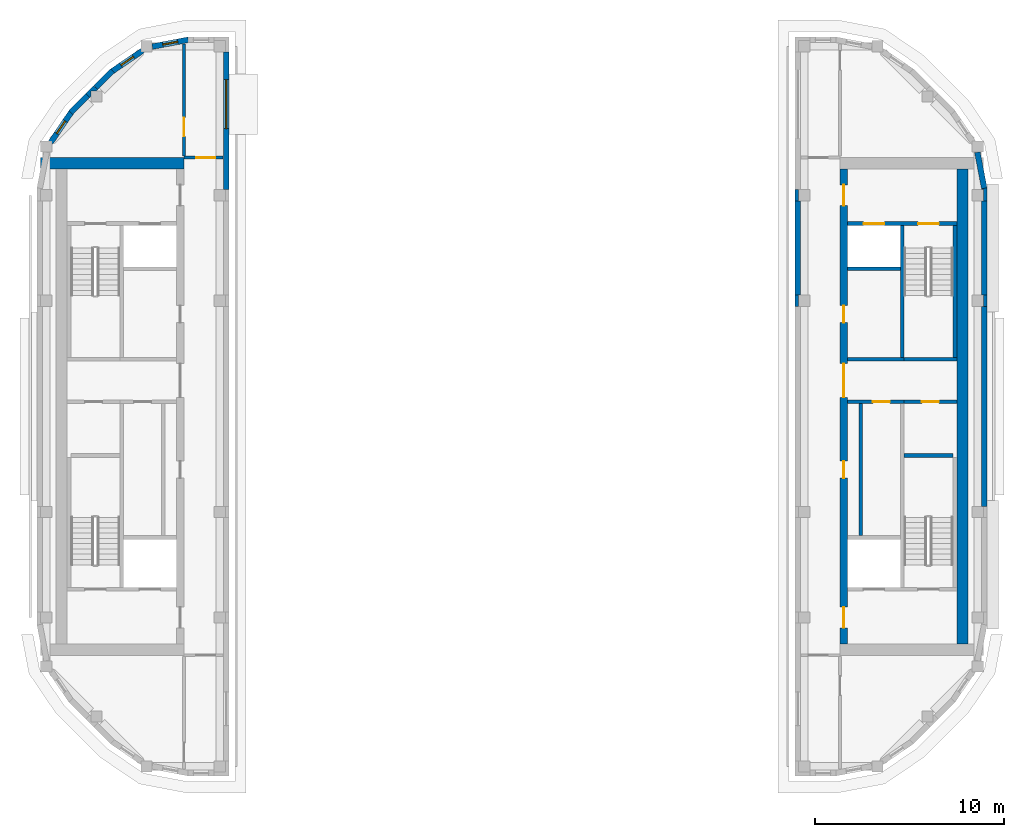
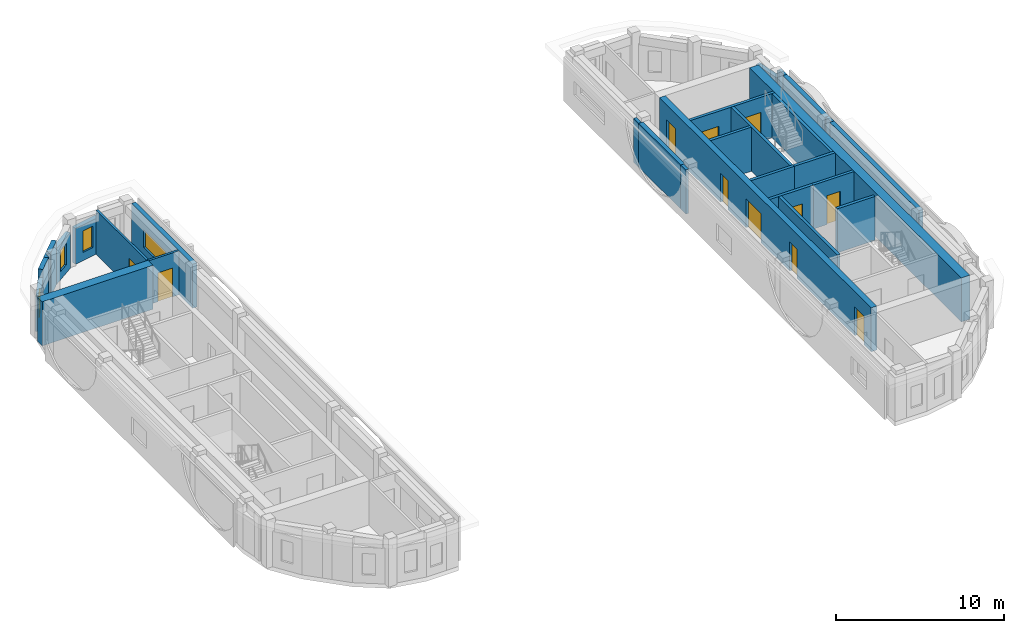
# One storey, part 4 of 12: 30 walls, 11 doors, 4 windows, 15 openings.
"""IFC4 building model written with IfcOpenShell, lengths in metres."""

from ifc_helpers import new_model, si_unit, direction, frame, frame_2d, origin, place, context, subcontext, project, spatial, polyline, rectangle, outline, extrude, material, layer, layer_set, type_object, element, fill, save


model = new_model("IFC4")

# Units and contexts
model_context = context("Model", 3, precision=1e-05, world=origin(), true_north=direction((0.0, 1.0)))
body_context = subcontext(model_context, "Body", "Model", "MODEL_VIEW")
ifc_project = project(units=[si_unit("LENGTHUNIT", "METRE"), si_unit("AREAUNIT", "SQUARE_METRE"), si_unit("VOLUMEUNIT", "CUBIC_METRE"), si_unit("PLANEANGLEUNIT", "RADIAN"), si_unit("MASSUNIT", "GRAM", prefix="KILO")], contexts=[model_context])

# Site, building, storey
site_placement = place(None, origin())
site = spatial("IfcSite", under=ifc_project, at=site_placement, CompositionType="ELEMENT")
building_placement = place(site_placement, origin())
building = spatial("IfcBuilding", under=site, at=building_placement, Name="Kiln Ring Residences", CompositionType="ELEMENT")
storey_placement = place(building_placement, frame((0.0, 0.0, 306.89990234375)))
storey = spatial("IfcBuildingStorey", under=building, at=storey_placement, Name="L79 Crown", CompositionType="ELEMENT", Elevation=306.89990234375)

# Wall, opening, door
ifc_material_1 = material(Name="Gypsum board on steel studs", Category="steel")
ifc_layer_1 = layer(ifc_material_1, 0.199951171875)
ifc_layer_set_1 = layer_set([ifc_layer_1], Name="CORE-PARTITION-200")
wall_type_1 = type_object("IfcWallType", Name="CORE-PARTITION-200", PredefinedType="PARTITIONING", material=ifc_layer_set_1)
wall_1_placement = place(storey_placement, frame((20.800048828125, 0.25, 0.0), z_axis=(0.0, 0.0, 1.0), x_axis=(1.0, 0.0, 0.0)))
wall_1 = element("IfcWall", 1, at=wall_1_placement, inside=storey, type_object=wall_type_1, Name="Core partition east L79 Crown 1", PredefinedType="PARTITIONING", context=body_context, shape_type="SweptSolid", body=[
    extrude(rectangle(XDim=2.800048828125, YDim=0.199951171875, at=frame_2d((1.39990234375, 0.0))), origin(), (0.0, 0.0, 1.0), 3.2001953125),
])
opening_1_placement = place(wall_1_placement, frame((0.949951171875, 0.0, 0.0)))
opening_1 = element("IfcOpeningElement", 2, at=opening_1_placement, cuts=wall_1, Name="Opening L79-CE11", PredefinedType="OPENING", context=body_context, shape_type="SweptSolid", body=[
    extrude(rectangle(XDim=0.89990234375, YDim=2.10009765625, at=frame_2d((0.449951171875, 1.050048828125))), frame((0.0, 0.10986328125, 0.0), z_axis=(0.0, -1.0, 0.0), x_axis=(1.0, 0.0, 0.0)), (0.0, 0.0, 1.0), 0.219970703125),
])
ifc_material_2 = material(Name="Steel door leaf", Category="steel")
door_type_1 = type_object("IfcDoorType", Name="CORE-DOOR-ROOM", OperationType="SINGLE_SWING_LEFT", PredefinedType="DOOR", material=ifc_material_2)
door_1_placement = place(opening_1_placement, origin())
door_1 = element("IfcDoor", 3, at=door_1_placement, inside=storey, type_object=door_type_1, Name="Housekeeping store L79-CE11", OperationType="SINGLE_SWING_RIGHT", OverallHeight=2.10009765625, OverallWidth=0.89990234375, PredefinedType="DOOR", context=body_context, shape_type="SweptSolid", body=[
    extrude(rectangle(XDim=0.89990234375, YDim=2.10009765625, at=frame_2d((0.449951171875, 1.050048828125))), frame((0.0, 0.02490234375, 0.0), z_axis=(0.0, -1.0, 0.0), x_axis=(1.0, 0.0, 0.0)), (0.0, 0.0, 1.0), 0.050048828125),
])
fill(opening_1, door_1)

# Wall
wall_2_placement = place(storey_placement, frame((18.5, -6.85009765625, 0.0), z_axis=(0.0, 0.0, 1.0), x_axis=(0.0, 1.0, 0.0)))
element("IfcWall", 4, at=wall_2_placement, inside=storey, type_object=wall_type_1, Name="Core partition east L79 Crown 2", PredefinedType="PARTITIONING", context=body_context, shape_type="SweptSolid", body=[
    extrude(rectangle(XDim=7.0, YDim=0.199951171875, at=frame_2d((3.5, 0.0))), origin(), (0.0, 0.0, 1.0), 3.2001953125),
])

# Wall, opening, door
ifc_material_3 = material(Name="Gypsum shaft wall system")
ifc_layer_2 = layer(ifc_material_3, 0.199951171875)
ifc_layer_set_2 = layer_set([ifc_layer_2], Name="CORE-SHAFT-WALL-200")
wall_type_2 = type_object("IfcWallType", Name="CORE-SHAFT-WALL-200", PredefinedType="PARTITIONING", material=ifc_layer_set_2)
wall_3_placement = place(storey_placement, frame((17.800048828125, 0.25, 0.0), z_axis=(0.0, 0.0, 1.0), x_axis=(1.0, 0.0, 0.0)))
wall_3 = element("IfcWall", 5, at=wall_3_placement, inside=storey, type_object=wall_type_2, Name="Core partition east L79 Crown 4", PredefinedType="PARTITIONING", context=body_context, shape_type="SweptSolid", body=[
    extrude(rectangle(XDim=3.0, YDim=0.199951171875, at=frame_2d((1.5, 0.0))), origin(), (0.0, 0.0, 1.0), 3.2001953125),
])
opening_2_placement = place(wall_3_placement, frame((1.35009765625, 0.0, 0.0)))
opening_2 = element("IfcOpeningElement", 6, at=opening_2_placement, cuts=wall_3, Name="Opening L79-CE03", PredefinedType="OPENING", context=body_context, shape_type="SweptSolid", body=[
    extrude(rectangle(XDim=0.89990234375, YDim=2.10009765625, at=frame_2d((0.449951171875, 1.050048828125))), frame((0.0, 0.10986328125, 0.0), z_axis=(0.0, -1.0, 0.0), x_axis=(1.0, 0.0, 0.0)), (0.0, 0.0, 1.0), 0.219970703125),
])
door_2_placement = place(opening_2_placement, origin())
door_2 = element("IfcDoor", 7, at=door_2_placement, inside=storey, type_object=door_type_1, Name="Goods store L79-CE03", OperationType="SINGLE_SWING_RIGHT", OverallHeight=2.10009765625, OverallWidth=0.89990234375, PredefinedType="DOOR", context=body_context, shape_type="SweptSolid", body=[
    extrude(rectangle(XDim=0.89990234375, YDim=2.10009765625, at=frame_2d((0.449951171875, 1.050048828125))), frame((0.0, 0.02490234375, 0.0), z_axis=(0.0, -1.0, 0.0), x_axis=(1.0, 0.0, 0.0)), (0.0, 0.0, 1.0), 0.050048828125),
])
fill(opening_2, door_2)

# Walls
wall_4_placement = place(storey_placement, frame((17.800048828125, 2.5, 0.0), z_axis=(0.0, 0.0, 1.0), x_axis=(1.0, 0.0, 0.0)))
element("IfcWall", 8, at=wall_4_placement, inside=storey, type_object=wall_type_2, Name="Core partition east L79 Crown 5", PredefinedType="PARTITIONING", context=body_context, shape_type="SweptSolid", body=[
    extrude(rectangle(XDim=3.0, YDim=0.199951171875, at=frame_2d((1.5, 0.0))), origin(), (0.0, 0.0, 1.0), 3.2001953125),
])
wall_5_placement = place(storey_placement, frame((17.800048828125, 7.300048828125, 0.0), z_axis=(0.0, 0.0, 1.0), x_axis=(1.0, 0.0, 0.0)))
element("IfcWall", 9, at=wall_5_placement, inside=storey, type_object=wall_type_2, Name="Core partition east L79 Crown 6", PredefinedType="PARTITIONING", context=body_context, shape_type="SweptSolid", body=[
    extrude(rectangle(XDim=2.800048828125, YDim=0.199951171875, at=frame_2d((1.39990234375, 0.0))), origin(), (0.0, 0.0, 1.0), 3.2001953125),
])
ifc_material_4 = material(Name="Concrete C40/50", Category="concrete")
ifc_layer_3 = layer(ifc_material_4, 0.199951171875)
ifc_layer_set_3 = layer_set([ifc_layer_3], Name="CORE-WALL-RC200")
wall_type_3 = type_object("IfcWallType", Name="CORE-WALL-RC200", PredefinedType="SHEAR", material=ifc_layer_set_3)
wall_6_placement = place(storey_placement, frame((20.699951171875, 2.60009765625, 0.0), z_axis=(0.0, 0.0, 1.0), x_axis=(0.0, 1.0, 0.0)))
element("IfcWall", 10, at=wall_6_placement, inside=storey, type_object=wall_type_3, Name="Core wall east L79 Crown 1", PredefinedType="SHEAR", context=body_context, shape_type="SweptSolid", body=[
    extrude(rectangle(XDim=7.0, YDim=0.199951171875, at=frame_2d((3.5, 0.0))), origin(), (0.0, 0.0, 1.0), 3.2001953125),
])
wall_7_placement = place(storey_placement, frame((20.800048828125, 2.5, 0.0), z_axis=(0.0, 0.0, 1.0), x_axis=(1.0, 0.0, 0.0)))
element("IfcWall", 11, at=wall_7_placement, inside=storey, type_object=wall_type_3, Name="Core wall east L79 Crown 3", PredefinedType="SHEAR", context=body_context, shape_type="SweptSolid", body=[
    extrude(rectangle(XDim=2.800048828125, YDim=0.199951171875, at=frame_2d((1.39990234375, 0.0))), origin(), (0.0, 0.0, 1.0), 3.2001953125),
])

# Wall, openings, doors
wall_8_placement = place(storey_placement, frame((17.800048828125, 9.699951171875, 0.0), z_axis=(0.0, 0.0, 1.0), x_axis=(1.0, 0.0, 0.0)))
wall_8 = element("IfcWall", 12, at=wall_8_placement, inside=storey, type_object=wall_type_3, Name="Core wall east L79 Crown 9", PredefinedType="SHEAR", context=body_context, shape_type="SweptSolid", body=[
    extrude(rectangle(XDim=5.800048828125, YDim=0.199951171875, at=frame_2d((2.89990234375, 0.0))), origin(), (0.0, 0.0, 1.0), 3.2001953125),
])
opening_3_placement = place(wall_8_placement, frame((0.85009765625, 0.0, 0.0)))
opening_3 = element("IfcOpeningElement", 13, at=opening_3_placement, cuts=wall_8, Name="Opening L79-CE05", PredefinedType="OPENING", context=body_context, shape_type="SweptSolid", body=[
    extrude(rectangle(XDim=1.10009765625, YDim=2.10009765625, at=frame_2d((0.550048828125, 1.050048828125))), frame((0.0, 0.10986328125, 0.0), z_axis=(0.0, -1.0, 0.0), x_axis=(1.0, 0.0, 0.0)), (0.0, 0.0, 1.0), 0.219970703125),
])
opening_4_placement = place(wall_8_placement, frame((3.75, 0.0, 0.0)))
opening_4 = element("IfcOpeningElement", 14, at=opening_4_placement, cuts=wall_8, Name="Opening L79-CE08", PredefinedType="OPENING", context=body_context, shape_type="SweptSolid", body=[
    extrude(rectangle(XDim=1.10009765625, YDim=2.10009765625, at=frame_2d((0.550048828125, 1.050048828125))), frame((0.0, 0.10986328125, 0.0), z_axis=(0.0, -1.0, 0.0), x_axis=(1.0, 0.0, 0.0)), (0.0, 0.0, 1.0), 0.219970703125),
])
ifc_material_5 = material(Name="Steel door leaf", Category="steel")
door_type_2 = type_object("IfcDoorType", Name="CORE-DOOR-LD", OperationType="DOUBLE_DOOR_SLIDING", PredefinedType="DOOR", material=ifc_material_5)
door_3_placement = place(opening_3_placement, origin())
door_3 = element("IfcDoor", 15, at=door_3_placement, inside=storey, type_object=door_type_2, Name="LD E-FF L79-CE05", OperationType="DOUBLE_DOOR_SLIDING", OverallHeight=2.10009765625, OverallWidth=1.10009765625, PredefinedType="DOOR", context=body_context, shape_type="SweptSolid", body=[
    extrude(rectangle(XDim=1.10009765625, YDim=2.10009765625, at=frame_2d((0.550048828125, 1.050048828125))), frame((0.0, 0.02490234375, 0.0), z_axis=(0.0, -1.0, 0.0), x_axis=(1.0, 0.0, 0.0)), (0.0, 0.0, 1.0), 0.050048828125),
])
fill(opening_3, door_3)
ifc_material_6 = material(Name="Steel door leaf", Category="steel")
door_type_3 = type_object("IfcDoorType", Name="CORE-DOOR-STAIR", OperationType="SINGLE_SWING_LEFT", PredefinedType="DOOR", material=ifc_material_6)
door_4_placement = place(opening_4_placement, origin())
door_4 = element("IfcDoor", 16, at=door_4_placement, inside=storey, type_object=door_type_3, Name="Stair E-STN L79-CE08", OperationType="SINGLE_SWING_LEFT", OverallHeight=2.10009765625, OverallWidth=1.10009765625, PredefinedType="DOOR", context=body_context, shape_type="SweptSolid", body=[
    extrude(rectangle(XDim=1.10009765625, YDim=2.10009765625, at=frame_2d((0.550048828125, 1.050048828125))), frame((0.0, 0.02490234375, 0.0), z_axis=(0.0, -1.0, 0.0), x_axis=(1.0, 0.0, 0.0)), (0.0, 0.0, 1.0), 0.050048828125),
])
fill(opening_4, door_4)

# Walls
wall_9_placement = place(storey_placement, frame((23.5, 2.60009765625, 0.0), z_axis=(0.0, 0.0, 1.0), x_axis=(0.0, 1.0, 0.0)))
element("IfcWall", 17, at=wall_9_placement, inside=storey, type_object=wall_type_3, Name="Core wall east L79 Crown 10", PredefinedType="SHEAR", context=body_context, shape_type="SweptSolid", body=[
    extrude(rectangle(XDim=7.0, YDim=0.199951171875, at=frame_2d((3.5, 0.0))), origin(), (0.0, 0.0, 1.0), 3.2001953125),
])
wall_10_placement = place(storey_placement, frame((20.800048828125, -2.60009765625, 0.0), z_axis=(0.0, 0.0, 1.0), x_axis=(1.0, 0.0, 0.0)))
element("IfcWall", 18, at=wall_10_placement, inside=storey, type_object=wall_type_3, Name="Core wall east L79 Crown 12", PredefinedType="SHEAR", context=body_context, shape_type="SweptSolid", body=[
    extrude(rectangle(XDim=2.599853515625, YDim=0.199951171875, at=frame_2d((1.2998046875, 0.0))), origin(), (0.0, 0.0, 1.0), 3.2001953125),
])

# Wall, openings, doors
ifc_material_7 = material(Name="Concrete C60/75", Category="concrete")
ifc_layer_4 = layer(ifc_material_7, 0.39990234375)
ifc_layer_set_4 = layer_set([ifc_layer_4], Name="CORE-WALL-RC400")
wall_type_4 = type_object("IfcWallType", Name="CORE-WALL-RC400", PredefinedType="SHEAR", material=ifc_layer_set_4)
wall_11_placement = place(storey_placement, frame((17.60009765625, -12.60009765625, 0.0), z_axis=(0.0, 0.0, 1.0), x_axis=(0.0, 1.0, 0.0)))
wall_11 = element("IfcWall", 19, at=wall_11_placement, inside=storey, type_object=wall_type_4, Name="Core wall east L79 Crown 6", PredefinedType="SHEAR", context=body_context, shape_type="SweptSolid", body=[
    extrude(rectangle(XDim=25.2001953125, YDim=0.39990234375, at=frame_2d((12.60009765625, 0.0))), origin(), (0.0, 0.0, 1.0), 3.2001953125),
])
opening_5_placement = place(wall_11_placement, frame((8.800048828125, 0.0, 0.0)))
opening_5 = element("IfcOpeningElement", 20, at=opening_5_placement, cuts=wall_11, Name="Opening L79-CE02", PredefinedType="OPENING", context=body_context, shape_type="SweptSolid", body=[
    extrude(rectangle(XDim=0.89990234375, YDim=2.10009765625, at=frame_2d((0.449951171875, 1.050048828125))), frame((0.0, 0.2099609375, 0.0), z_axis=(0.0, -1.0, 0.0), x_axis=(1.0, 0.0, 0.0)), (0.0, 0.0, 1.0), 0.419921875),
])
opening_6_placement = place(wall_11_placement, frame((17.050048828125, 0.0, 0.0)))
opening_6 = element("IfcOpeningElement", 21, at=opening_6_placement, cuts=wall_11, Name="Opening L79-CE04", PredefinedType="OPENING", context=body_context, shape_type="SweptSolid", body=[
    extrude(rectangle(XDim=0.89990234375, YDim=2.10009765625, at=frame_2d((0.449951171875, 1.050048828125))), frame((0.0, 0.2099609375, 0.0), z_axis=(0.0, -1.0, 0.0), x_axis=(1.0, 0.0, 0.0)), (0.0, 0.0, 1.0), 0.419921875),
])
opening_7_placement = place(wall_11_placement, frame((23.25, 0.0, 0.0)))
opening_7 = element("IfcOpeningElement", 22, at=opening_7_placement, cuts=wall_11, Name="Opening L79-CE06", PredefinedType="OPENING", context=body_context, shape_type="SweptSolid", body=[
    extrude(rectangle(XDim=1.10009765625, YDim=2.10009765625, at=frame_2d((0.550048828125, 1.050048828125))), frame((0.0, 0.2099609375, 0.0), z_axis=(0.0, -1.0, 0.0), x_axis=(1.0, 0.0, 0.0)), (0.0, 0.0, 1.0), 0.419921875),
])
opening_8_placement = place(wall_11_placement, frame((0.85009765625, 0.0, 0.0)))
opening_8 = element("IfcOpeningElement", 23, at=opening_8_placement, cuts=wall_11, Name="Opening L79-CE07", PredefinedType="OPENING", context=body_context, shape_type="SweptSolid", body=[
    extrude(rectangle(XDim=1.10009765625, YDim=2.10009765625, at=frame_2d((0.550048828125, 1.050048828125))), frame((0.0, 0.2099609375, 0.0), z_axis=(0.0, -1.0, 0.0), x_axis=(1.0, 0.0, 0.0)), (0.0, 0.0, 1.0), 0.419921875),
])
opening_9_placement = place(wall_11_placement, frame((13.074951171875, 0.0, 0.0)))
opening_9 = element("IfcOpeningElement", 24, at=opening_9_placement, cuts=wall_11, Name="Opening L79-CE10", PredefinedType="OPENING", context=body_context, shape_type="SweptSolid", body=[
    extrude(rectangle(XDim=1.800048828125, YDim=2.10009765625, at=frame_2d((0.89990234375, 1.050048828125))), frame((0.0, 0.2099609375, 0.0), z_axis=(0.0, -1.0, 0.0), x_axis=(1.0, 0.0, 0.0)), (0.0, 0.0, 1.0), 0.419921875),
])
ifc_material_8 = material(Name="Steel door leaf", Category="steel")
door_type_4 = type_object("IfcDoorType", Name="CORE-DOOR-LOBBY", OperationType="SINGLE_SWING_LEFT", PredefinedType="DOOR", material=ifc_material_8)
door_5_placement = place(opening_7_placement, origin())
door_5 = element("IfcDoor", 25, at=door_5_placement, inside=storey, type_object=door_type_4, Name="FFL L79-CE06", OperationType="SINGLE_SWING_RIGHT", OverallHeight=2.10009765625, OverallWidth=1.10009765625, PredefinedType="DOOR", context=body_context, shape_type="SweptSolid", body=[
    extrude(rectangle(XDim=1.10009765625, YDim=2.10009765625, at=frame_2d((0.550048828125, 1.050048828125))), frame((0.0, 0.02490234375, 0.0), z_axis=(0.0, -1.0, 0.0), x_axis=(1.0, 0.0, 0.0)), (0.0, 0.0, 1.0), 0.050048828125),
])
fill(opening_7, door_5)
door_6_placement = place(opening_8_placement, origin())
door_6 = element("IfcDoor", 26, at=door_6_placement, inside=storey, type_object=door_type_4, Name="SVL L79-CE07", OperationType="SINGLE_SWING_LEFT", OverallHeight=2.10009765625, OverallWidth=1.10009765625, PredefinedType="DOOR", context=body_context, shape_type="SweptSolid", body=[
    extrude(rectangle(XDim=1.10009765625, YDim=2.10009765625, at=frame_2d((0.550048828125, 1.050048828125))), frame((0.0, 0.02490234375, 0.0), z_axis=(0.0, -1.0, 0.0), x_axis=(1.0, 0.0, 0.0)), (0.0, 0.0, 1.0), 0.050048828125),
])
fill(opening_8, door_6)
ifc_material_9 = material(Name="Steel door leaf", Category="steel")
door_type_5 = type_object("IfcDoorType", Name="CORE-DOOR-PASS", OperationType="DOUBLE_DOOR_SINGLE_SWING", PredefinedType="DOOR", material=ifc_material_9)
door_7_placement = place(opening_9_placement, origin())
door_7 = element("IfcDoor", 27, at=door_7_placement, inside=storey, type_object=door_type_5, Name="Core passage L79-CE10", OperationType="DOUBLE_DOOR_SINGLE_SWING", OverallHeight=2.10009765625, OverallWidth=1.800048828125, PredefinedType="DOOR", context=body_context, shape_type="SweptSolid", body=[
    extrude(rectangle(XDim=1.800048828125, YDim=2.10009765625, at=frame_2d((0.89990234375, 1.050048828125))), frame((0.0, 0.02490234375, 0.0), z_axis=(0.0, -1.0, 0.0), x_axis=(1.0, 0.0, 0.0)), (0.0, 0.0, 1.0), 0.050048828125),
])
fill(opening_9, door_7)
door_8_placement = place(opening_5_placement, origin())
door_8 = element("IfcDoor", 28, at=door_8_placement, inside=storey, type_object=door_type_1, Name="Cleaner's store L79-CE02", OperationType="SINGLE_SWING_LEFT", OverallHeight=2.10009765625, OverallWidth=0.89990234375, PredefinedType="DOOR", context=body_context, shape_type="SweptSolid", body=[
    extrude(rectangle(XDim=0.89990234375, YDim=2.10009765625, at=frame_2d((0.449951171875, 1.050048828125))), frame((0.0, 0.02490234375, 0.0), z_axis=(0.0, -1.0, 0.0), x_axis=(1.0, 0.0, 0.0)), (0.0, 0.0, 1.0), 0.050048828125),
])
fill(opening_5, door_8)
door_9_placement = place(opening_6_placement, origin())
door_9 = element("IfcDoor", 29, at=door_9_placement, inside=storey, type_object=door_type_1, Name="Locker store L79-CE04", OperationType="SINGLE_SWING_LEFT", OverallHeight=2.10009765625, OverallWidth=0.89990234375, PredefinedType="DOOR", context=body_context, shape_type="SweptSolid", body=[
    extrude(rectangle(XDim=0.89990234375, YDim=2.10009765625, at=frame_2d((0.449951171875, 1.050048828125))), frame((0.0, 0.02490234375, 0.0), z_axis=(0.0, -1.0, 0.0), x_axis=(1.0, 0.0, 0.0)), (0.0, 0.0, 1.0), 0.050048828125),
])
fill(opening_6, door_9)

# Walls
ifc_material_10 = material(Name="Concrete C60/75", Category="concrete")
ifc_layer_5 = layer(ifc_material_10, 0.60009765625)
ifc_layer_set_5 = layer_set([ifc_layer_5], Name="CORE-WALL-RC600")
wall_type_5 = type_object("IfcWallType", Name="CORE-WALL-RC600", PredefinedType="SHEAR", material=ifc_layer_set_5)
wall_12_placement = place(storey_placement, frame((-17.39990234375, 12.89990234375, 0.0), z_axis=(0.0, 0.0, 1.0), x_axis=(-1.0, 0.0, 0.0)))
element("IfcWall", 30, at=wall_12_placement, inside=storey, type_object=wall_type_5, Name="Core wall west L79 Crown 4", PredefinedType="SHEAR", context=body_context, shape_type="SweptSolid", body=[
    extrude(rectangle(XDim=7.60009765625, YDim=0.60009765625, at=frame_2d((3.800048828125, 0.0))), origin(), (0.0, 0.0, 1.0), 3.2001953125),
])
wall_13_placement = place(storey_placement, frame((23.89990234375, -12.60009765625, 0.0), z_axis=(0.0, 0.0, 1.0), x_axis=(0.0, 1.0, 0.0)))
element("IfcWall", 31, at=wall_13_placement, inside=storey, type_object=wall_type_5, Name="Core wall east L79 Crown 7", PredefinedType="SHEAR", context=body_context, shape_type="SweptSolid", body=[
    extrude(rectangle(XDim=25.2001953125, YDim=0.60009765625, at=frame_2d((12.60009765625, 0.0))), origin(), (0.0, 0.0, 1.0), 3.2001953125),
])

# Wall, opening, window
ifc_material_11 = material(Name="Brick masonry, dark clay brick", Category="masonry")
ifc_layer_6 = layer(ifc_material_11, 0.300048828125)
ifc_layer_set_6 = layer_set([ifc_layer_6], Name="EW-300 BRICK WALL")
wall_type_6 = type_object("IfcWallType", Name="EW-300 BRICK WALL", PredefinedType="SOLIDWALL", material=ifc_layer_set_6)
wall_14_placement = place(storey_placement, frame((-15.14990234375, 11.5, 0.0), z_axis=(0.0, 0.0, 1.0), x_axis=(0.0, 1.0, 0.0)))
wall_14 = element("IfcWall", 32, at=wall_14_placement, inside=storey, type_object=wall_type_6, Name="Facade wall L79 Crown 8", PredefinedType="SOLIDWALL", context=body_context, shape_type="SweptSolid", body=[
    extrude(rectangle(XDim=7.300048828125, YDim=0.300048828125, at=frame_2d((3.64990234375, 0.0))), origin(), (0.0, 0.0, 1.0), 3.2001953125),
])
opening_10_placement = place(wall_14_placement, frame((3.237548828125, 0.0, 0.89990234375)))
opening_10 = element("IfcOpeningElement", 33, at=opening_10_placement, cuts=wall_14, Name="Opening W3", PredefinedType="OPENING", context=body_context, shape_type="SweptSolid", body=[
    extrude(rectangle(XDim=2.60009765625, YDim=1.25, at=frame_2d((1.300048828125, 0.625))), frame((0.0, 0.159912109375, 0.0), z_axis=(0.0, -1.0, 0.0), x_axis=(1.0, 0.0, 0.0)), (0.0, 0.0, 1.0), 0.320068359375),
])
ifc_material_12 = material(Name="Aluminium frame with double glazing", Category="aluminium")
window_type_1 = type_object("IfcWindowType", Name="WINDOW 2600 x 1250", PartitioningType="SINGLE_PANEL", PredefinedType="WINDOW", material=ifc_material_12)
window_1_placement = place(opening_10_placement, origin())
window_1 = element("IfcWindow", 34, at=window_1_placement, inside=storey, type_object=window_type_1, Name="Window L79 Crown 5", OverallHeight=1.25, OverallWidth=2.60009765625, PartitioningType="SINGLE_PANEL", PredefinedType="WINDOW", context=body_context, shape_type="SweptSolid", body=[
    extrude(rectangle(XDim=2.60009765625, YDim=1.25, at=frame_2d((1.300048828125, 0.625))), frame((0.0, 0.030029296875, 0.0), z_axis=(0.0, -1.0, 0.0), x_axis=(1.0, 0.0, 0.0)), (0.0, 0.0, 1.0), 0.06005859375),
])
fill(opening_10, window_1)

wall_15_placement = place(storey_placement, frame((-17.171875, 19.45263671875, 0.0), z_axis=(0.0, 0.0, 1.0), x_axis=(-0.982286967073, -0.187382801553, 0.0)))
wall_15 = element("IfcWall", 35, at=wall_15_placement, inside=storey, type_object=wall_type_6, Name="Facade wall L79 Crown 10", PredefinedType="SOLIDWALL", context=body_context, shape_type="SweptSolid", body=[
    extrude(rectangle(XDim=1.94775390625, YDim=0.300048828125, at=frame_2d((0.973876953125, 0.0))), origin(), (0.0, 0.0, 1.0), 2.60009765625),
])
opening_11_placement = place(wall_15_placement, frame((0.573974609375, 0.0, 0.60009765625)))
opening_11 = element("IfcOpeningElement", 36, at=opening_11_placement, cuts=wall_15, Name="Opening W5", PredefinedType="OPENING", context=body_context, shape_type="SweptSolid", body=[
    extrude(rectangle(XDim=0.800048828125, YDim=1.550048828125, at=frame_2d((0.39990234375, 0.77490234375))), frame((0.0, 0.159912109375, 0.0), z_axis=(0.0, -1.0, 0.0), x_axis=(1.0, 0.0, 0.0)), (0.0, 0.0, 1.0), 0.320068359375),
])
ifc_material_13 = material(Name="Aluminium frame with double glazing", Category="aluminium")
window_type_2 = type_object("IfcWindowType", Name="WINDOW 800 x 1550", PartitioningType="SINGLE_PANEL", PredefinedType="WINDOW", material=ifc_material_13)
window_2_placement = place(opening_11_placement, origin())
window_2 = element("IfcWindow", 37, at=window_2_placement, inside=storey, type_object=window_type_2, Name="Window L79 Crown 7", OverallHeight=1.550048828125, OverallWidth=0.800048828125, PartitioningType="SINGLE_PANEL", PredefinedType="WINDOW", context=body_context, shape_type="SweptSolid", body=[
    extrude(rectangle(XDim=0.800048828125, YDim=1.550048828125, at=frame_2d((0.39990234375, 0.77490234375))), frame((0.0, 0.030029296875, 0.0), z_axis=(0.0, -1.0, 0.0), x_axis=(1.0, 0.0, 0.0)), (0.0, 0.0, 1.0), 0.06005859375),
])
fill(opening_11, window_2)

wall_16_placement = place(storey_placement, frame((-19.601806640625, 18.873779296875, 0.0), z_axis=(0.0, 0.0, 1.0), x_axis=(-0.827022075481, -0.562169446579, 0.0)))
wall_16 = element("IfcWall", 38, at=wall_16_placement, inside=storey, type_object=wall_type_6, Name="Facade wall L79 Crown 11", PredefinedType="SOLIDWALL", context=body_context, shape_type="SweptSolid", body=[
    extrude(rectangle(XDim=1.94775390625, YDim=0.300048828125, at=frame_2d((0.973876953125, 0.0))), origin(), (0.0, 0.0, 1.0), 2.60009765625),
])
opening_12_placement = place(wall_16_placement, frame((0.573974609375, 0.0, 0.60009765625)))
opening_12 = element("IfcOpeningElement", 39, at=opening_12_placement, cuts=wall_16, Name="Opening W5", PredefinedType="OPENING", context=body_context, shape_type="SweptSolid", body=[
    extrude(rectangle(XDim=0.800048828125, YDim=1.550048828125, at=frame_2d((0.39990234375, 0.77490234375))), frame((0.0, 0.159912109375, 0.0), z_axis=(0.0, -1.0, 0.0), x_axis=(1.0, 0.0, 0.0)), (0.0, 0.0, 1.0), 0.320068359375),
])
window_3_placement = place(opening_12_placement, origin())
window_3 = element("IfcWindow", 40, at=window_3_placement, inside=storey, type_object=window_type_2, Name="Window L79 Crown 8", OverallHeight=1.550048828125, OverallWidth=0.800048828125, PartitioningType="SINGLE_PANEL", PredefinedType="WINDOW", context=body_context, shape_type="SweptSolid", body=[
    extrude(rectangle(XDim=0.800048828125, YDim=1.550048828125, at=frame_2d((0.39990234375, 0.77490234375))), frame((0.0, 0.030029296875, 0.0), z_axis=(0.0, -1.0, 0.0), x_axis=(1.0, 0.0, 0.0)), (0.0, 0.0, 1.0), 0.06005859375),
])
fill(opening_12, window_3)

# Walls
for number, where, z_axis, x_axis, name in (
    (41, (-21.19091796875, 17.796875, 0.0), (0.0, 0.0, 1.0), (-0.707106781187, -0.707106781187, 0.0), "Facade wall L79 Crown 12"),
    (42, (-22.506103515625, 16.481689453125, 0.0), (0.0, 0.0, 1.0), (-0.707203678312, -0.707009870781, 0.0), "Facade wall L79 Crown 13"),
):
    element("IfcWall", number, at=place(storey_placement, frame(where, z_axis=z_axis, x_axis=x_axis)), inside=storey, type_object=wall_type_6, Name=name, PredefinedType="SOLIDWALL", context=body_context, shape_type="SweptSolid", body=[
        extrude(rectangle(XDim=1.259765625, YDim=0.300048828125, at=frame_2d((0.6298828125, 0.0))), origin(), (0.0, 0.0, 1.0), 3.2001953125),
    ])

# Wall, opening, window
wall_17_placement = place(storey_placement, frame((-23.37890625, 15.61279296875, 0.0), z_axis=(0.0, 0.0, 1.0), x_axis=(-0.562025435703, -0.827119948752, 0.0)))
wall_17 = element("IfcWall", 43, at=wall_17_placement, inside=storey, type_object=wall_type_6, Name="Facade wall L79 Crown 14", PredefinedType="SOLIDWALL", context=body_context, shape_type="SweptSolid", body=[
    extrude(rectangle(XDim=1.94775390625, YDim=0.300048828125, at=frame_2d((0.973876953125, 0.0))), origin(), (0.0, 0.0, 1.0), 2.60009765625),
])
opening_13_placement = place(wall_17_placement, frame((0.573974609375, 0.0, 0.60009765625)))
opening_13 = element("IfcOpeningElement", 44, at=opening_13_placement, cuts=wall_17, Name="Opening W5", PredefinedType="OPENING", context=body_context, shape_type="SweptSolid", body=[
    extrude(rectangle(XDim=0.800048828125, YDim=1.550048828125, at=frame_2d((0.39990234375, 0.77490234375))), frame((0.0, 0.159912109375, 0.0), z_axis=(0.0, -1.0, 0.0), x_axis=(1.0, 0.0, 0.0)), (0.0, 0.0, 1.0), 0.320068359375),
])
window_4_placement = place(opening_13_placement, origin())
window_4 = element("IfcWindow", 45, at=window_4_placement, inside=storey, type_object=window_type_2, Name="Window L79 Crown 9", OverallHeight=1.550048828125, OverallWidth=0.800048828125, PartitioningType="SINGLE_PANEL", PredefinedType="WINDOW", context=body_context, shape_type="SweptSolid", body=[
    extrude(rectangle(XDim=0.800048828125, YDim=1.550048828125, at=frame_2d((0.39990234375, 0.77490234375))), frame((0.0, 0.030029296875, 0.0), z_axis=(0.0, -1.0, 0.0), x_axis=(1.0, 0.0, 0.0)), (0.0, 0.0, 1.0), 0.06005859375),
])
fill(opening_13, window_4)

# Walls
wall_18_placement = place(storey_placement, frame((15.14990234375, 10.89990234375, 0.0), z_axis=(0.0, 0.0, 1.0), x_axis=(0.0, -1.0, 0.0)))
element("IfcWall", 46, at=wall_18_placement, inside=storey, type_object=wall_type_6, Name="Facade wall L79 Crown 24", PredefinedType="SOLIDWALL", context=body_context, shape_type="SweptSolid", body=[
    extrude(rectangle(XDim=5.0, YDim=0.300048828125, at=frame_2d((2.5, 0.0))), origin(), (0.0, 0.0, 1.0), 3.2001953125),
])
wall_19_placement = place(storey_placement, frame((25.050048828125, -5.300048828125, 0.0), z_axis=(0.0, 0.0, 1.0), x_axis=(0.0, 1.0, 0.0)))
element("IfcWall", 47, at=wall_19_placement, inside=storey, type_object=wall_type_6, Name="Facade wall L79 Crown 36", PredefinedType="SOLIDWALL", context=body_context, shape_type="SweptSolid", body=[
    extrude(rectangle(XDim=10.60009765625, YDim=0.300048828125, at=frame_2d((5.300048828125, 0.0))), origin(), (0.0, 0.0, 1.0), 3.2001953125),
])
wall_20_placement = place(storey_placement, frame((25.050048828125, 5.89990234375, 0.0), z_axis=(0.0, 0.0, 1.0), x_axis=(0.0, 1.0, 0.0)))
element("IfcWall", 48, at=wall_20_placement, inside=storey, type_object=wall_type_6, Name="Facade wall L79 Crown 37", PredefinedType="SOLIDWALL", context=body_context, shape_type="SweptSolid", body=[
    extrude(rectangle(XDim=5.0, YDim=0.300048828125, at=frame_2d((2.5, 0.0))), origin(), (0.0, 0.0, 1.0), 3.2001953125),
])
wall_21_placement = place(storey_placement, frame((25.052490234375, 11.57275390625, 0.0), z_axis=(0.0, 0.0, 1.0), x_axis=(-0.187354129902, 0.982292436095, 0.0)))
element("IfcWall", 49, at=wall_21_placement, inside=storey, type_object=wall_type_6, Name="Facade wall L79 Crown 38", PredefinedType="SOLIDWALL", context=body_context, shape_type="SweptSolid", body=[
    extrude(rectangle(XDim=1.94677734375, YDim=0.300048828125, at=frame_2d((0.973388671875, 0.0))), origin(), (0.0, 0.0, 1.0), 2.60009765625),
])
placement = place(storey_placement, origin())
element("IfcWall", 50, at=placement, inside=storey, type_object=wall_type_6, Name="Corner wall L79 Crown 5", PredefinedType="SOLIDWALL", context=body_context, shape_type="SweptSolid", body=[
    extrude(outline(polyline([(-21.9755859375, 16.800048828125), (-22.18798828125, 17.01220703125), (-22.612060546875, 16.587890625), (-22.39990234375, 16.375732421875), (-22.346435546875, 16.42919921875), (-22.346435546875, 16.746337890625), (-22.029296875, 16.746337890625), (-21.9755859375, 16.800048828125)])), origin(), (0.0, 0.0, 1.0), 3.2001953125),
])
element("IfcWall", 51, at=placement, inside=storey, type_object=wall_type_6, Name="Corner wall L79 Crown 14", PredefinedType="SOLIDWALL", context=body_context, shape_type="SweptSolid", body=[
    extrude(outline(polyline([(25.199951171875, 10.89990234375), (25.199951171875, 11.600830078125), (24.9033203125, 11.544189453125), (24.89990234375, 11.56103515625), (24.89990234375, 11.5), (25.0, 11.5), (25.0, 10.89990234375), (25.199951171875, 10.89990234375)])), origin(), (0.0, 0.0, 1.0), 3.2001953125),
])
element("IfcWall", 52, at=placement, inside=storey, type_object=wall_type_6, Name="Corner wall L79 Crown 15", PredefinedType="SOLIDWALL", context=body_context, shape_type="SweptSolid", body=[
    extrude(outline(polyline([(25.0, 5.300048828125), (25.199951171875, 5.300048828125), (25.199951171875, 5.89990234375), (24.89990234375, 5.89990234375), (25.0, 5.89990234375), (25.0, 5.300048828125)])), origin(), (0.0, 0.0, 1.0), 3.2001953125),
])
element("IfcWall", 53, at=placement, inside=storey, type_object=wall_type_6, Name="Corner wall L79 Crown 22", PredefinedType="SOLIDWALL", context=body_context, shape_type="SweptSolid", body=[
    extrude(outline(polyline([(15.300048828125, 5.89990234375), (15.0, 5.89990234375), (15.0, 5.300048828125), (15.300048828125, 5.300048828125), (15.199951171875, 5.300048828125), (15.199951171875, 5.89990234375), (15.300048828125, 5.89990234375)])), origin(), (0.0, 0.0, 1.0), 3.2001953125),
])
element("IfcWall", 54, at=placement, inside=storey, type_object=wall_type_6, Name="Corner wall L79 Crown 23", PredefinedType="SOLIDWALL", context=body_context, shape_type="SweptSolid", body=[
    extrude(outline(polyline([(15.199951171875, 11.5), (15.0, 11.5), (15.0, 10.89990234375), (15.199951171875, 10.89990234375), (15.199951171875, 11.5)])), origin(), (0.0, 0.0, 1.0), 3.2001953125),
])

# Wall, opening, door
ifc_material_14 = material(Name="Brick masonry partition", Category="masonry")
ifc_layer_7 = layer(ifc_material_14, 0.14990234375)
ifc_layer_set_7 = layer_set([ifc_layer_7], Name="PARTITION-150-ei60")
wall_type_7 = type_object("IfcWallType", Name="PARTITION-150-ei60", PredefinedType="PARTITIONING", material=ifc_layer_set_7)
wall_27_placement = place(storey_placement, frame((-17.405029296875, 13.199951171875, 0.0), z_axis=(0.0, 0.0, 1.0), x_axis=(1.0, 0.0, 0.0)))
wall_27 = element("IfcWall", 55, at=wall_27_placement, inside=storey, type_object=wall_type_7, Name="Partition 002", PredefinedType="PARTITIONING", context=body_context, shape_type="SweptSolid", body=[
    extrude(rectangle(XDim=2.0849609375, YDim=0.14990234375, at=frame_2d((1.04248046875, 0.0))), origin(), (0.0, 0.0, 1.0), 3.2001953125),
])
opening_14_placement = place(wall_27_placement, frame((0.6650390625, 0.0, 0.0)))
opening_14 = element("IfcOpeningElement", 56, at=opening_14_placement, cuts=wall_27, Name="Opening L79-D001", PredefinedType="OPENING", context=body_context, shape_type="SweptSolid", body=[
    extrude(rectangle(XDim=1.0, YDim=2.10009765625, at=frame_2d((0.5, 1.050048828125))), frame((0.0, 0.0849609375, 0.0), z_axis=(0.0, -1.0, 0.0), x_axis=(1.0, 0.0, 0.0)), (0.0, 0.0, 1.0), 0.169921875),
])
ifc_material_15 = material(Name="Steel faced fire door leaf", Category="steel")
door_type_6 = type_object("IfcDoorType", Name="FLAT-DOOR-1000-FR", OperationType="SINGLE_SWING_LEFT", PredefinedType="DOOR", material=ifc_material_15)
door_10_placement = place(opening_14_placement, origin())
door_10 = element("IfcDoor", 57, at=door_10_placement, inside=storey, type_object=door_type_6, Name="Door L79-D001", OperationType="SINGLE_SWING_RIGHT", OverallHeight=2.10009765625, OverallWidth=1.0, PredefinedType="DOOR", context=body_context, shape_type="SweptSolid", body=[
    extrude(rectangle(XDim=1.0, YDim=2.10009765625, at=frame_2d((0.5, 1.050048828125))), frame((0.0, 0.02490234375, 0.0), z_axis=(0.0, -1.0, 0.0), x_axis=(1.0, 0.0, 0.0)), (0.0, 0.0, 1.0), 0.050048828125),
])
fill(opening_14, door_10)

wall_28_placement = place(storey_placement, frame((-17.39990234375, 13.27490234375, 0.0), z_axis=(0.0, 0.0, 1.0), x_axis=(0.0, 1.0, 0.0)))
wall_28 = element("IfcWall", 58, at=wall_28_placement, inside=storey, type_object=wall_type_7, Name="Partition 005", PredefinedType="PARTITIONING", context=body_context, shape_type="SweptSolid", body=[
    extrude(rectangle(XDim=5.96142578125, YDim=0.14990234375, at=frame_2d((2.980712890625, 0.0))), origin(), (0.0, 0.0, 1.0), 3.2001953125),
])
opening_15_placement = place(wall_28_placement, frame((1.044921875, 0.0, 0.0)))
opening_15 = element("IfcOpeningElement", 59, at=opening_15_placement, cuts=wall_28, Name="Opening L79-D002", PredefinedType="OPENING", context=body_context, shape_type="SweptSolid", body=[
    extrude(rectangle(XDim=1.0, YDim=2.10009765625, at=frame_2d((0.5, 1.050048828125))), frame((0.0, 0.0849609375, 0.0), z_axis=(0.0, -1.0, 0.0), x_axis=(1.0, 0.0, 0.0)), (0.0, 0.0, 1.0), 0.169921875),
])
door_11_placement = place(opening_15_placement, origin())
door_11 = element("IfcDoor", 60, at=door_11_placement, inside=storey, type_object=door_type_6, Name="Door L79-D002", OperationType="SINGLE_SWING_RIGHT", OverallHeight=2.10009765625, OverallWidth=1.0, PredefinedType="DOOR", context=body_context, shape_type="SweptSolid", body=[
    extrude(rectangle(XDim=1.0, YDim=2.10009765625, at=frame_2d((0.5, 1.050048828125))), frame((0.0, 0.02490234375, 0.0), z_axis=(0.0, -1.0, 0.0), x_axis=(1.0, 0.0, 0.0)), (0.0, 0.0, 1.0), 0.050048828125),
])
fill(opening_15, door_11)

save(model, "model.ifc")
